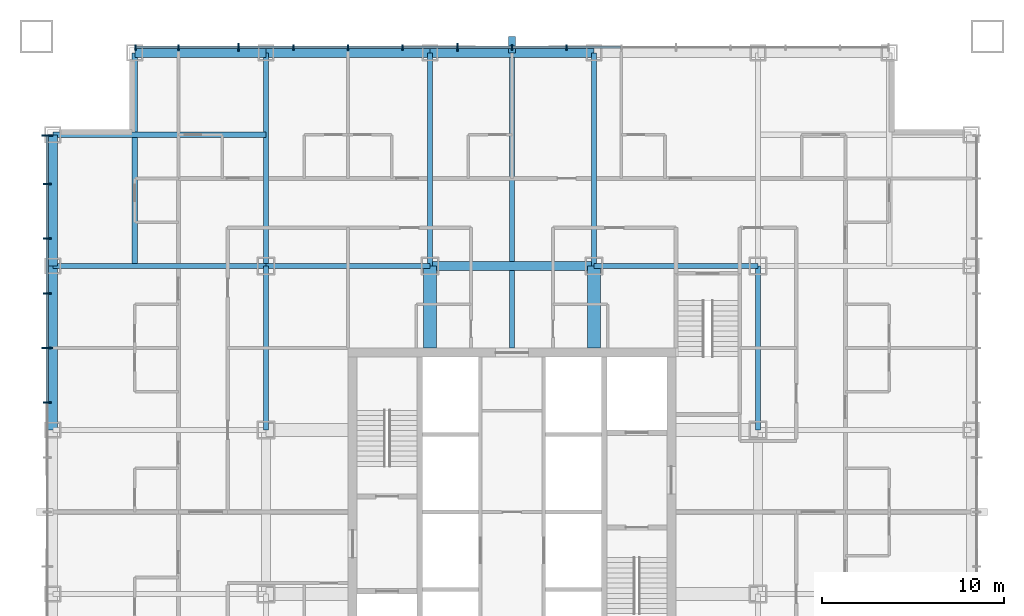
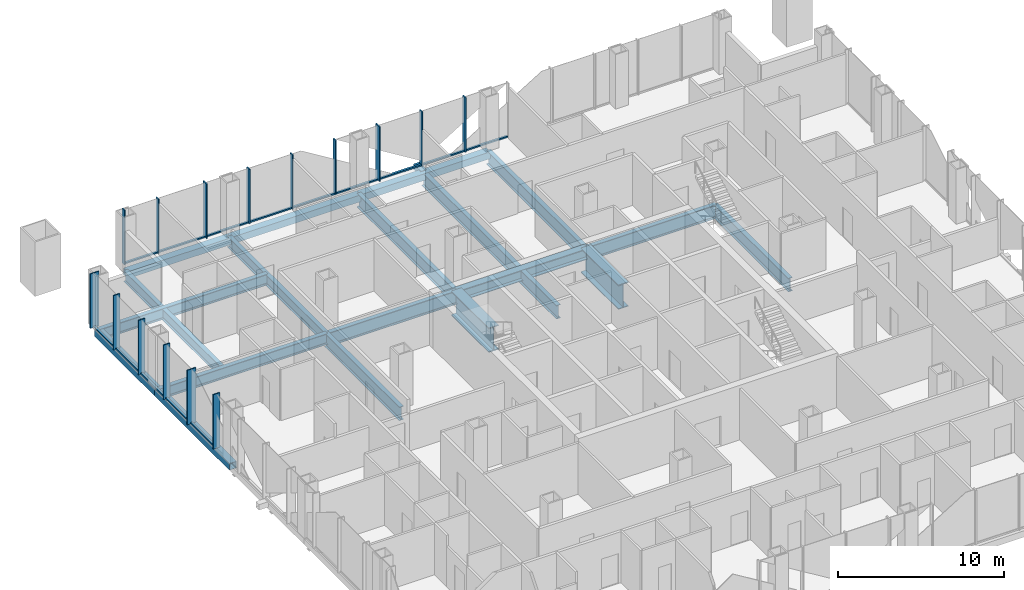
# One storey, part 4 of 13: 30 members, 19 beams, 2 elements without a shape of their own.
"""IFC4 building model written with IfcOpenShell, lengths in metres."""

from ifc_helpers import new_model, si_unit, direction, frame, origin, origin_2d, place, context, subcontext, project, spatial, rectangle, hollow_rectangle, i_section, extrude, material, layer, layer_set, material_profile, profile_set, type_object, element, aggregate, save


model = new_model("IFC4")

# Units and contexts
model_context = context("Model", 3, precision=1e-05, world=origin(), true_north=direction((0.0, 1.0)))
body_context = subcontext(model_context, "Body", "Model", "MODEL_VIEW")
ifc_project = project(units=[si_unit("LENGTHUNIT", "METRE"), si_unit("AREAUNIT", "SQUARE_METRE"), si_unit("VOLUMEUNIT", "CUBIC_METRE"), si_unit("PLANEANGLEUNIT", "RADIAN"), si_unit("MASSUNIT", "GRAM", prefix="KILO")], contexts=[model_context])

# Site, building, storey
site_placement = place(None, origin())
site = spatial("IfcSite", under=ifc_project, at=site_placement, CompositionType="ELEMENT")
building_placement = place(site_placement, origin())
building = spatial("IfcBuilding", under=site, at=building_placement, Name="Malebo Sky Hospital", CompositionType="ELEMENT")
storey_placement = place(building_placement, frame((0.0, 0.0, 47.0)))
storey = spatial("IfcBuildingStorey", under=building, at=storey_placement, Name="L10", CompositionType="ELEMENT", Elevation=47.0)

# Curtain wall, members
ifc_material_1 = material(Name="Anodised aluminium, natural silver", Category="aluminium")
ifc_layer_1 = layer(ifc_material_1, 0.25)
ifc_layer_set_1 = layer_set([ifc_layer_1], Name="WARD CURTAIN WALL NORTH AND SOUTH")
curtain_wall_type_1 = type_object("IfcCurtainWallType", Name="WARD CURTAIN WALL NORTH AND SOUTH", PredefinedType="NOTDEFINED", material=ifc_layer_set_1)
curtain_wall_1_placement = place(storey_placement, origin())
curtain_wall_1 = element("IfcCurtainWall", 1, at=curtain_wall_1_placement, inside=storey, type_object=curtain_wall_type_1, Name="NS curtain wall N", PredefinedType="NOTDEFINED")
ifc_material_profile_1 = material_profile(ifc_material_1, rectangle(XDim=0.14990234375, YDim=0.10009765625, at=origin_2d()), Name="ALUMINIUM TRANSOM 150x100")
ifc_profile_set_1 = profile_set([ifc_material_profile_1], Name="Anodised aluminium, natural silver")
member_type_1 = type_object("IfcMemberType", Name="ALUMINIUM TRANSOM 150x100", PredefinedType="USERDEFINED", material=ifc_profile_set_1)
member_1_placement = place(storey_placement, frame((39.375, 87.5, 0.050048828125), z_axis=(1.0, 0.0, 0.0), x_axis=(0.0, 1.0, 0.0)))
member_1 = element("IfcMember", 2, at=member_1_placement, type_object=member_type_1, Name="Transom 1", ObjectType="TRANSOM", PredefinedType="USERDEFINED", context=body_context, shape_type="SweptSolid", body=[
    extrude(rectangle(XDim=0.14990234375, YDim=0.10009765625, at=origin_2d()), origin(), (0.0, 0.0, 1.0), 2.28759765625),
])
member_2_placement = place(storey_placement, frame((41.737548828125, 87.5, 0.050048828125), z_axis=(1.0, 0.0, 0.0), x_axis=(0.0, 1.0, 0.0)))
member_2 = element("IfcMember", 3, at=member_2_placement, type_object=member_type_1, Name="Transom 2", ObjectType="TRANSOM", PredefinedType="USERDEFINED", context=body_context, shape_type="SweptSolid", body=[
    extrude(rectangle(XDim=0.14990234375, YDim=0.10009765625, at=origin_2d()), origin(), (0.0, 0.0, 1.0), 3.224853515625),
])
member_3_placement = place(storey_placement, frame((45.03759765625, 87.5, 0.050048828125), z_axis=(1.0, 0.0, 0.0), x_axis=(0.0, 1.0, 0.0)))
member_3 = element("IfcMember", 4, at=member_3_placement, type_object=member_type_1, Name="Transom 3", ObjectType="TRANSOM", PredefinedType="USERDEFINED", context=body_context, shape_type="SweptSolid", body=[
    extrude(rectangle(XDim=0.14990234375, YDim=0.10009765625, at=origin_2d()), origin(), (0.0, 0.0, 1.0), 2.9248046875),
])
member_4_placement = place(storey_placement, frame((48.03759765625, 87.5, 0.050048828125), z_axis=(1.0, 0.0, 0.0), x_axis=(0.0, 1.0, 0.0)))
member_4 = element("IfcMember", 5, at=member_4_placement, type_object=member_type_1, Name="Transom 4", ObjectType="TRANSOM", PredefinedType="USERDEFINED", context=body_context, shape_type="SweptSolid", body=[
    extrude(rectangle(XDim=0.14990234375, YDim=0.10009765625, at=origin_2d()), origin(), (0.0, 0.0, 1.0), 2.9248046875),
])
member_5_placement = place(storey_placement, frame((51.03759765625, 87.5, 0.050048828125), z_axis=(1.0, 0.0, 0.0), x_axis=(0.0, 1.0, 0.0)))
member_5 = element("IfcMember", 6, at=member_5_placement, type_object=member_type_1, Name="Transom 5", ObjectType="TRANSOM", PredefinedType="USERDEFINED", context=body_context, shape_type="SweptSolid", body=[
    extrude(rectangle(XDim=0.14990234375, YDim=0.10009765625, at=origin_2d()), origin(), (0.0, 0.0, 1.0), 2.9248046875),
])
member_6_placement = place(storey_placement, frame((54.03759765625, 87.5, 0.050048828125), z_axis=(1.0, 0.0, 0.0), x_axis=(0.0, 1.0, 0.0)))
member_6 = element("IfcMember", 7, at=member_6_placement, type_object=member_type_1, Name="Transom 6", ObjectType="TRANSOM", PredefinedType="USERDEFINED", context=body_context, shape_type="SweptSolid", body=[
    extrude(rectangle(XDim=0.14990234375, YDim=0.10009765625, at=origin_2d()), origin(), (0.0, 0.0, 1.0), 2.9248046875),
])
member_7_placement = place(storey_placement, frame((57.03759765625, 87.5, 0.050048828125), z_axis=(1.0, 0.0, 0.0), x_axis=(0.0, 1.0, 0.0)))
member_7 = element("IfcMember", 8, at=member_7_placement, type_object=member_type_1, Name="Transom 7", ObjectType="TRANSOM", PredefinedType="USERDEFINED", context=body_context, shape_type="SweptSolid", body=[
    extrude(rectangle(XDim=0.14990234375, YDim=0.10009765625, at=origin_2d()), origin(), (0.0, 0.0, 1.0), 2.9248046875),
])
member_8_placement = place(storey_placement, frame((60.03759765625, 87.5, 0.050048828125), z_axis=(1.0, 0.0, 0.0), x_axis=(0.0, 1.0, 0.0)))
member_8 = element("IfcMember", 9, at=member_8_placement, type_object=member_type_1, Name="Transom 8", ObjectType="TRANSOM", PredefinedType="USERDEFINED", context=body_context, shape_type="SweptSolid", body=[
    extrude(rectangle(XDim=0.14990234375, YDim=0.10009765625, at=origin_2d()), origin(), (0.0, 0.0, 1.0), 2.9248046875),
])
member_9_placement = place(storey_placement, frame((63.03759765625, 87.5, 0.050048828125), z_axis=(1.0, 0.0, 0.0), x_axis=(0.0, 1.0, 0.0)))
member_9 = element("IfcMember", 10, at=member_9_placement, type_object=member_type_1, Name="Transom 9", ObjectType="TRANSOM", PredefinedType="USERDEFINED", context=body_context, shape_type="SweptSolid", body=[
    extrude(rectangle(XDim=0.14990234375, YDim=0.10009765625, at=origin_2d()), origin(), (0.0, 0.0, 1.0), 2.9248046875),
])

ifc_layer_2 = layer(ifc_material_1, 0.25)
ifc_layer_set_2 = layer_set([ifc_layer_2], Name="WARD CURTAIN WALL EAST AND WEST")
curtain_wall_type_2 = type_object("IfcCurtainWallType", Name="WARD CURTAIN WALL EAST AND WEST", PredefinedType="NOTDEFINED", material=ifc_layer_set_2)
curtain_wall_2_placement = place(storey_placement, origin())
curtain_wall_2 = element("IfcCurtainWall", 11, at=curtain_wall_2_placement, inside=storey, type_object=curtain_wall_type_2, Name="EW curtain wall W", PredefinedType="NOTDEFINED")
member_10_placement = place(storey_placement, frame((34.5, 68.03759765625, 0.050048828125), z_axis=(0.0, 1.0, 0.0), x_axis=(-1.0, 0.0, 0.0)))
member_10 = element("IfcMember", 12, at=member_10_placement, type_object=member_type_1, Name="Transom 10", ObjectType="TRANSOM", PredefinedType="USERDEFINED", context=body_context, shape_type="SweptSolid", body=[
    extrude(rectangle(XDim=0.14990234375, YDim=0.10009765625, at=origin_2d()), origin(), (0.0, 0.0, 1.0), 2.9248046875),
])
member_11_placement = place(storey_placement, frame((34.5, 71.03759765625, 0.050048828125), z_axis=(0.0, 1.0, 0.0), x_axis=(-1.0, 0.0, 0.0)))
member_11 = element("IfcMember", 13, at=member_11_placement, type_object=member_type_1, Name="Transom 11", ObjectType="TRANSOM", PredefinedType="USERDEFINED", context=body_context, shape_type="SweptSolid", body=[
    extrude(rectangle(XDim=0.14990234375, YDim=0.10009765625, at=origin_2d()), origin(), (0.0, 0.0, 1.0), 2.9248046875),
])
member_12_placement = place(storey_placement, frame((34.5, 74.03759765625, 0.050048828125), z_axis=(0.0, 1.0, 0.0), x_axis=(-1.0, 0.0, 0.0)))
member_12 = element("IfcMember", 14, at=member_12_placement, type_object=member_type_1, Name="Transom 12", ObjectType="TRANSOM", PredefinedType="USERDEFINED", context=body_context, shape_type="SweptSolid", body=[
    extrude(rectangle(XDim=0.14990234375, YDim=0.10009765625, at=origin_2d()), origin(), (0.0, 0.0, 1.0), 2.9248046875),
])
member_13_placement = place(storey_placement, frame((34.5, 77.03759765625, 0.050048828125), z_axis=(0.0, 1.0, 0.0), x_axis=(-1.0, 0.0, 0.0)))
member_13 = element("IfcMember", 15, at=member_13_placement, type_object=member_type_1, Name="Transom 13", ObjectType="TRANSOM", PredefinedType="USERDEFINED", context=body_context, shape_type="SweptSolid", body=[
    extrude(rectangle(XDim=0.14990234375, YDim=0.10009765625, at=origin_2d()), origin(), (0.0, 0.0, 1.0), 2.9248046875),
])
member_14_placement = place(storey_placement, frame((34.5, 80.03759765625, 0.050048828125), z_axis=(0.0, 1.0, 0.0), x_axis=(-1.0, 0.0, 0.0)))
member_14 = element("IfcMember", 16, at=member_14_placement, type_object=member_type_1, Name="Transom 14", ObjectType="TRANSOM", PredefinedType="USERDEFINED", context=body_context, shape_type="SweptSolid", body=[
    extrude(rectangle(XDim=0.14990234375, YDim=0.10009765625, at=origin_2d()), origin(), (0.0, 0.0, 1.0), 2.58740234375),
])

# Member
ifc_material_2 = material(Name="Steel S355", Category="steel")
ifc_material_profile_2 = material_profile(ifc_material_2, hollow_rectangle(XDim=0.39990234375, YDim=0.39990234375, WallThickness=0.02001953125, at=origin_2d()), Name="SHS 400x20")
ifc_profile_set_2 = profile_set([ifc_material_profile_2], Name="Steel S355")
member_type_2 = type_object("IfcMemberType", Name="BRACE STRUT SHS 400x20", PredefinedType="STRUT", material=ifc_profile_set_2)
member_15_placement = place(storey_placement, frame((60.0, 88.10009765625, -0.39990234375), z_axis=(0.0, -1.0, 0.0), x_axis=(1.0, 0.0, 0.0)))
element("IfcMember", 17, at=member_15_placement, inside=storey, type_object=member_type_2, Name="Brace strut AN1 L10", PredefinedType="STRUT", context=body_context, shape_type="SweptSolid", body=[
    extrude(hollow_rectangle(XDim=0.39990234375, YDim=0.39990234375, WallThickness=0.02001953125, at=origin_2d()), origin(), (0.0, 0.0, 1.0), 0.900146484375),
])

ifc_material_profile_3 = material_profile(ifc_material_1, rectangle(XDim=0.074951171875, YDim=0.300048828125, at=origin_2d()), Name="CW1 ALUMINIUM FIN MULLION 75x300")
ifc_profile_set_3 = profile_set([ifc_material_profile_3], Name="Anodised aluminium, natural silver")
member_type_3 = type_object("IfcMemberType", Name="CW1 ALUMINIUM FIN MULLION 75x300", PredefinedType="MULLION", material=ifc_profile_set_3)
member_16_placement = place(storey_placement, frame((39.33740234375, 87.5, 0.0), z_axis=(0.0, 0.0, 1.0), x_axis=(1.0, 0.0, 0.0)))
member_16 = element("IfcMember", 18, at=member_16_placement, type_object=member_type_3, Name="Fin mullion 1", PredefinedType="MULLION", context=body_context, shape_type="SweptSolid", body=[
    extrude(rectangle(XDim=0.074951171875, YDim=0.300048828125, at=origin_2d()), origin(), (0.0, 0.0, 1.0), 4.0),
])

member_17_placement = place(storey_placement, frame((41.699951171875, 87.5, 0.0), z_axis=(0.0, 0.0, 1.0), x_axis=(1.0, 0.0, 0.0)))
member_17 = element("IfcMember", 19, at=member_17_placement, type_object=member_type_3, Name="Fin mullion 2", PredefinedType="MULLION", context=body_context, shape_type="SweptSolid", body=[
    extrude(rectangle(XDim=0.074951171875, YDim=0.300048828125, at=origin_2d()), origin(), (0.0, 0.0, 1.0), 4.0),
])

member_18_placement = place(storey_placement, frame((48.0, 87.5, 0.0), z_axis=(0.0, 0.0, 1.0), x_axis=(1.0, 0.0, 0.0)))
member_18 = element("IfcMember", 20, at=member_18_placement, type_object=member_type_3, Name="Fin mullion 4", PredefinedType="MULLION", context=body_context, shape_type="SweptSolid", body=[
    extrude(rectangle(XDim=0.074951171875, YDim=0.300048828125, at=origin_2d()), origin(), (0.0, 0.0, 1.0), 4.0),
])

member_19_placement = place(storey_placement, frame((51.0, 87.5, 0.0), z_axis=(0.0, 0.0, 1.0), x_axis=(1.0, 0.0, 0.0)))
member_19 = element("IfcMember", 21, at=member_19_placement, type_object=member_type_3, Name="Fin mullion 5", PredefinedType="MULLION", context=body_context, shape_type="SweptSolid", body=[
    extrude(rectangle(XDim=0.074951171875, YDim=0.300048828125, at=origin_2d()), origin(), (0.0, 0.0, 1.0), 4.0),
])

member_20_placement = place(storey_placement, frame((54.0, 87.5, 0.0), z_axis=(0.0, 0.0, 1.0), x_axis=(1.0, 0.0, 0.0)))
member_20 = element("IfcMember", 22, at=member_20_placement, type_object=member_type_3, Name="Fin mullion 6", PredefinedType="MULLION", context=body_context, shape_type="SweptSolid", body=[
    extrude(rectangle(XDim=0.074951171875, YDim=0.300048828125, at=origin_2d()), origin(), (0.0, 0.0, 1.0), 4.0),
])

member_21_placement = place(storey_placement, frame((60.0, 87.5, 0.0), z_axis=(0.0, 0.0, 1.0), x_axis=(1.0, 0.0, 0.0)))
member_21 = element("IfcMember", 23, at=member_21_placement, type_object=member_type_3, Name="Fin mullion 8", PredefinedType="MULLION", context=body_context, shape_type="SweptSolid", body=[
    extrude(rectangle(XDim=0.074951171875, YDim=0.300048828125, at=origin_2d()), origin(), (0.0, 0.0, 1.0), 4.0),
])

member_22_placement = place(storey_placement, frame((63.0, 87.5, 0.0), z_axis=(0.0, 0.0, 1.0), x_axis=(1.0, 0.0, 0.0)))
member_22 = element("IfcMember", 24, at=member_22_placement, type_object=member_type_3, Name="Fin mullion 9", PredefinedType="MULLION", context=body_context, shape_type="SweptSolid", body=[
    extrude(rectangle(XDim=0.074951171875, YDim=0.300048828125, at=origin_2d()), origin(), (0.0, 0.0, 1.0), 4.0),
])

ifc_material_profile_4 = material_profile(ifc_material_1, rectangle(XDim=0.074951171875, YDim=0.449951171875, at=origin_2d()), Name="CW1 ALUMINIUM FIN MULLION 75x450")
ifc_profile_set_4 = profile_set([ifc_material_profile_4], Name="Anodised aluminium, natural silver")
member_type_4 = type_object("IfcMemberType", Name="CW1 ALUMINIUM FIN MULLION 75x450", PredefinedType="MULLION", material=ifc_profile_set_4)
member_23_placement = place(storey_placement, frame((45.0, 87.5, 0.0), z_axis=(0.0, 0.0, 1.0), x_axis=(1.0, 0.0, 0.0)))
member_23 = element("IfcMember", 25, at=member_23_placement, type_object=member_type_4, Name="Fin mullion 3", PredefinedType="MULLION", context=body_context, shape_type="SweptSolid", body=[
    extrude(rectangle(XDim=0.074951171875, YDim=0.449951171875, at=origin_2d()), origin(), (0.0, 0.0, 1.0), 4.0),
])

member_24_placement = place(storey_placement, frame((57.0, 87.5, 0.0), z_axis=(0.0, 0.0, 1.0), x_axis=(1.0, 0.0, 0.0)))
member_24 = element("IfcMember", 26, at=member_24_placement, type_object=member_type_4, Name="Fin mullion 7", PredefinedType="MULLION", context=body_context, shape_type="SweptSolid", body=[
    extrude(rectangle(XDim=0.074951171875, YDim=0.449951171875, at=origin_2d()), origin(), (0.0, 0.0, 1.0), 4.0),
])

aggregate(curtain_wall_1, [member_16, member_17, member_23, member_18, member_19, member_20, member_24, member_21, member_22, member_1, member_2, member_3, member_4, member_5, member_6, member_7, member_8, member_9])

ifc_material_profile_5 = material_profile(ifc_material_1, rectangle(XDim=0.074951171875, YDim=0.449951171875, at=origin_2d()), Name="CW2 ALUMINIUM FIN MULLION 75x450")
ifc_profile_set_5 = profile_set([ifc_material_profile_5], Name="Anodised aluminium, natural silver")
member_type_5 = type_object("IfcMemberType", Name="CW2 ALUMINIUM FIN MULLION 75x450", PredefinedType="MULLION", material=ifc_profile_set_5)
member_25_placement = place(storey_placement, frame((34.5, 68.0, 0.0), z_axis=(0.0, 0.0, 1.0), x_axis=(0.0, 1.0, 0.0)))
member_25 = element("IfcMember", 27, at=member_25_placement, type_object=member_type_5, Name="Fin mullion 10", PredefinedType="MULLION", context=body_context, shape_type="SweptSolid", body=[
    extrude(rectangle(XDim=0.074951171875, YDim=0.449951171875, at=origin_2d()), origin(), (0.0, 0.0, 1.0), 4.0),
])

member_26_placement = place(storey_placement, frame((34.5, 74.0, 0.0), z_axis=(0.0, 0.0, 1.0), x_axis=(0.0, 1.0, 0.0)))
member_26 = element("IfcMember", 28, at=member_26_placement, type_object=member_type_5, Name="Fin mullion 12", PredefinedType="MULLION", context=body_context, shape_type="SweptSolid", body=[
    extrude(rectangle(XDim=0.074951171875, YDim=0.449951171875, at=origin_2d()), origin(), (0.0, 0.0, 1.0), 4.0),
])

member_27_placement = place(storey_placement, frame((34.5, 77.0, 0.0), z_axis=(0.0, 0.0, 1.0), x_axis=(0.0, 1.0, 0.0)))
member_27 = element("IfcMember", 29, at=member_27_placement, type_object=member_type_5, Name="Fin mullion 13", PredefinedType="MULLION", context=body_context, shape_type="SweptSolid", body=[
    extrude(rectangle(XDim=0.074951171875, YDim=0.449951171875, at=origin_2d()), origin(), (0.0, 0.0, 1.0), 4.0),
])

member_28_placement = place(storey_placement, frame((34.5, 80.0, 0.0), z_axis=(0.0, 0.0, 1.0), x_axis=(0.0, 1.0, 0.0)))
member_28 = element("IfcMember", 30, at=member_28_placement, type_object=member_type_5, Name="Fin mullion 14", PredefinedType="MULLION", context=body_context, shape_type="SweptSolid", body=[
    extrude(rectangle(XDim=0.074951171875, YDim=0.449951171875, at=origin_2d()), origin(), (0.0, 0.0, 1.0), 4.0),
])

ifc_material_profile_6 = material_profile(ifc_material_1, rectangle(XDim=0.074951171875, YDim=0.60009765625, at=origin_2d()), Name="CW2 ALUMINIUM FIN MULLION 75x600")
ifc_profile_set_6 = profile_set([ifc_material_profile_6], Name="Anodised aluminium, natural silver")
member_type_6 = type_object("IfcMemberType", Name="CW2 ALUMINIUM FIN MULLION 75x600", PredefinedType="MULLION", material=ifc_profile_set_6)
member_29_placement = place(storey_placement, frame((34.5, 71.0, 0.0), z_axis=(0.0, 0.0, 1.0), x_axis=(0.0, 1.0, 0.0)))
member_29 = element("IfcMember", 31, at=member_29_placement, type_object=member_type_6, Name="Fin mullion 11", PredefinedType="MULLION", context=body_context, shape_type="SweptSolid", body=[
    extrude(rectangle(XDim=0.074951171875, YDim=0.60009765625, at=origin_2d()), origin(), (0.0, 0.0, 1.0), 4.0),
])

member_30_placement = place(storey_placement, frame((34.5, 82.66259765625, 0.0), z_axis=(0.0, 0.0, 1.0), x_axis=(0.0, 1.0, 0.0)))
member_30 = element("IfcMember", 32, at=member_30_placement, type_object=member_type_6, Name="Fin mullion 15", PredefinedType="MULLION", context=body_context, shape_type="SweptSolid", body=[
    extrude(rectangle(XDim=0.074951171875, YDim=0.60009765625, at=origin_2d()), origin(), (0.0, 0.0, 1.0), 4.0),
])

aggregate(curtain_wall_2, [member_25, member_29, member_26, member_27, member_28, member_30, member_10, member_11, member_12, member_13, member_14])

# Beams
ifc_material_3 = material(Name="Steel S460", Category="steel")
ifc_material_profile_7 = material_profile(ifc_material_3, hollow_rectangle(XDim=0.5, YDim=0.5, WallThickness=0.030029296875, at=origin_2d()), Name="BOX 500x500x30")
ifc_profile_set_7 = profile_set([ifc_material_profile_7], Name="Steel S460")
beam_type_1 = type_object("IfcBeamType", Name="EDGE BEAM BOX 500x500x30", PredefinedType="BEAM", material=ifc_profile_set_7)
beam_1_placement = place(storey_placement, frame((34.800048828125, 66.5, -0.5), z_axis=(0.0, 1.0, 0.0), x_axis=(-1.0, 0.0, 0.0)))
element("IfcBeam", 33, at=beam_1_placement, inside=storey, type_object=beam_type_1, Name="Beam 003 L10", PredefinedType="BEAM", context=body_context, shape_type="SweptSolid", body=[
    extrude(hollow_rectangle(XDim=0.5, YDim=0.5, WallThickness=0.030029296875, at=origin_2d()), origin(), (0.0, 0.0, 1.0), 9.0),
])
for number, where, z_axis, x_axis, name in (
    (34, (34.800048828125, 75.5, -0.5), (0.0, 1.0, 0.0), (-1.0, 0.0, 0.0), "Beam 004 L10"),
    (35, (39.300048828125, 87.199951171875, -0.5), (1.0, 0.0, 0.0), (0.0, 1.0, 0.0), "Beam 063 L10"),
):
    element("IfcBeam", number, at=place(storey_placement, frame(where, z_axis=z_axis, x_axis=x_axis)), inside=storey, type_object=beam_type_1, Name=name, PredefinedType="BEAM", context=body_context, shape_type="SweptSolid", body=[
        extrude(hollow_rectangle(XDim=0.5, YDim=0.5, WallThickness=0.030029296875, at=origin_2d()), origin(), (0.0, 0.0, 1.0), 7.199951171875),
    ])
for number, where, z_axis, x_axis, name in (
    (36, (46.5, 87.199951171875, -0.5), (1.0, 0.0, 0.0), (0.0, 1.0, 0.0), "Beam 064 L10"),
    (37, (55.5, 87.199951171875, -0.5), (1.0, 0.0, 0.0), (0.0, 1.0, 0.0), "Beam 065 L10"),
):
    element("IfcBeam", number, at=place(storey_placement, frame(where, z_axis=z_axis, x_axis=x_axis)), inside=storey, type_object=beam_type_1, Name=name, PredefinedType="BEAM", context=body_context, shape_type="SweptSolid", body=[
        extrude(hollow_rectangle(XDim=0.5, YDim=0.5, WallThickness=0.030029296875, at=origin_2d()), origin(), (0.0, 0.0, 1.0), 9.0),
    ])
ifc_material_profile_8 = material_profile(ifc_material_2, i_section(OverallWidth=0.300048828125, OverallDepth=1.0, WebThickness=0.01904296875, FlangeThickness=0.035888671875, FilletRadius=0.030029296875, at=origin_2d()), Name="HEB 1000")
ifc_profile_set_8 = profile_set([ifc_material_profile_8], Name="Steel S355")
beam_type_2 = type_object("IfcBeamType", Name="FLOOR BEAM HEB 1000", PredefinedType="BEAM", material=ifc_profile_set_8)
beam_2_placement = place(storey_placement, frame((46.5, 66.5, -0.75), z_axis=(0.0, 1.0, 0.0), x_axis=(-1.0, 0.0, 0.0)))
element("IfcBeam", 38, at=beam_2_placement, inside=storey, type_object=beam_type_2, Name="Beam 010 L10", PredefinedType="BEAM", context=body_context, shape_type="SweptSolid", body=[
    extrude(i_section(OverallWidth=0.300048828125, OverallDepth=1.0, WebThickness=0.01904296875, FlangeThickness=0.035888671875, FilletRadius=0.030029296875, at=origin_2d()), origin(), (0.0, 0.0, 1.0), 9.0),
])
beam_3_placement = place(storey_placement, frame((55.5, 75.5, -0.75), z_axis=(0.0, 1.0, 0.0), x_axis=(-1.0, 0.0, 0.0)))
element("IfcBeam", 39, at=beam_3_placement, inside=storey, type_object=beam_type_2, Name="Beam 015 L10", PredefinedType="BEAM", context=body_context, shape_type="SweptSolid", body=[
    extrude(i_section(OverallWidth=0.300048828125, OverallDepth=1.0, WebThickness=0.01904296875, FlangeThickness=0.035888671875, FilletRadius=0.030029296875, at=origin_2d()), origin(), (0.0, 0.0, 1.0), 11.699951171875),
])
beam_4_placement = place(storey_placement, frame((60.0, 71.0, -0.75), z_axis=(0.0, 1.0, 0.0), x_axis=(-1.0, 0.0, 0.0)))
element("IfcBeam", 40, at=beam_4_placement, inside=storey, type_object=beam_type_2, Name="Beam 017 L10", PredefinedType="BEAM", context=body_context, shape_type="SweptSolid", body=[
    extrude(i_section(OverallWidth=0.300048828125, OverallDepth=1.0, WebThickness=0.01904296875, FlangeThickness=0.035888671875, FilletRadius=0.030029296875, at=origin_2d()), origin(), (0.0, 0.0, 1.0), 16.199951171875),
])
beam_5_placement = place(storey_placement, frame((64.5, 75.5, -0.75), z_axis=(0.0, 1.0, 0.0), x_axis=(-1.0, 0.0, 0.0)))
element("IfcBeam", 41, at=beam_5_placement, inside=storey, type_object=beam_type_2, Name="Beam 021 L10", PredefinedType="BEAM", context=body_context, shape_type="SweptSolid", body=[
    extrude(i_section(OverallWidth=0.300048828125, OverallDepth=1.0, WebThickness=0.01904296875, FlangeThickness=0.035888671875, FilletRadius=0.030029296875, at=origin_2d()), origin(), (0.0, 0.0, 1.0), 11.699951171875),
])
for number, where, z_axis, x_axis, name in (
    (42, (73.5, 66.5, -0.75), (0.0, 1.0, 0.0), (-1.0, 0.0, 0.0), "Beam 025 L10"),
    (43, (46.5, 75.5, -0.75), (1.0, 0.0, 0.0), (0.0, 1.0, 0.0), "Beam 057 L10"),
    (44, (64.5, 75.5, -0.75), (1.0, 0.0, 0.0), (0.0, 1.0, 0.0), "Beam 059 L10"),
):
    element("IfcBeam", number, at=place(storey_placement, frame(where, z_axis=z_axis, x_axis=x_axis)), inside=storey, type_object=beam_type_2, Name=name, PredefinedType="BEAM", context=body_context, shape_type="SweptSolid", body=[
        extrude(i_section(OverallWidth=0.300048828125, OverallDepth=1.0, WebThickness=0.01904296875, FlangeThickness=0.035888671875, FilletRadius=0.030029296875, at=origin_2d()), origin(), (0.0, 0.0, 1.0), 9.0),
    ])
ifc_material_profile_9 = material_profile(ifc_material_2, i_section(OverallWidth=0.300048828125, OverallDepth=0.800048828125, WebThickness=0.017578125, FlangeThickness=0.032958984375, FilletRadius=0.030029296875, at=origin_2d()), Name="HEB 800")
ifc_profile_set_9 = profile_set([ifc_material_profile_9], Name="Steel S355")
beam_type_3 = type_object("IfcBeamType", Name="FLOOR BEAM HEB 800", PredefinedType="BEAM", material=ifc_profile_set_9)
for number, where, z_axis, x_axis, name in (
    (45, (39.300048828125, 75.5, -0.64990234375), (0.0, 1.0, 0.0), (-1.0, 0.0, 0.0), "Beam 006 L10"),
    (46, (34.800048828125, 82.699951171875, -0.64990234375), (1.0, 0.0, 0.0), (0.0, 1.0, 0.0), "Beam 061 L10"),
):
    element("IfcBeam", number, at=place(storey_placement, frame(where, z_axis=z_axis, x_axis=x_axis)), inside=storey, type_object=beam_type_3, Name=name, PredefinedType="BEAM", context=body_context, shape_type="SweptSolid", body=[
        extrude(i_section(OverallWidth=0.300048828125, OverallDepth=0.800048828125, WebThickness=0.017578125, FlangeThickness=0.032958984375, FilletRadius=0.030029296875, at=origin_2d()), origin(), (0.0, 0.0, 1.0), 11.699951171875),
    ])
ifc_material_profile_10 = material_profile(ifc_material_2, i_section(OverallWidth=0.699951171875, OverallDepth=1.800048828125, WebThickness=0.034912109375, FlangeThickness=0.070068359375, at=origin_2d()), Name="PG 1800x700x35x70")
ifc_profile_set_10 = profile_set([ifc_material_profile_10], Name="Steel S355")
beam_type_4 = type_object("IfcBeamType", Name="FLOOR BEAM PG 1800x700x35x70", PredefinedType="BEAM", material=ifc_profile_set_10)
for number, where, z_axis, x_axis, name in (
    (47, (55.5, 71.0, -1.14990234375), (0.0, 1.0, 0.0), (-1.0, 0.0, 0.0), "Beam 014 L10"),
    (48, (64.5, 71.0, -1.14990234375), (0.0, 1.0, 0.0), (-1.0, 0.0, 0.0), "Beam 020 L10"),
):
    element("IfcBeam", number, at=place(storey_placement, frame(where, z_axis=z_axis, x_axis=x_axis)), inside=storey, type_object=beam_type_4, Name=name, PredefinedType="BEAM", context=body_context, shape_type="SweptSolid", body=[
        extrude(i_section(OverallWidth=0.699951171875, OverallDepth=1.800048828125, WebThickness=0.034912109375, FlangeThickness=0.070068359375, at=origin_2d()), origin(), (0.0, 0.0, 1.0), 4.5),
    ])
ifc_material_profile_11 = material_profile(ifc_material_2, i_section(OverallWidth=0.300048828125, OverallDepth=0.800048828125, WebThickness=0.017578125, FlangeThickness=0.032958984375, FilletRadius=0.030029296875, at=origin_2d()), Name="HEB 800")
ifc_profile_set_11 = profile_set([ifc_material_profile_11], Name="Steel S355")
beam_type_5 = type_object("IfcBeamType", Name="FLOOR GIRDER HEB 800", PredefinedType="BEAM", material=ifc_profile_set_11)
for number, where, z_axis, x_axis, name in (
    (49, (46.5, 75.5, -0.64990234375), (0.0, 1.0, 0.0), (-1.0, 0.0, 0.0), "Beam 011 L10"),
    (50, (34.800048828125, 75.5, -0.64990234375), (1.0, 0.0, 0.0), (0.0, 1.0, 0.0), "Beam 056 L10"),
):
    element("IfcBeam", number, at=place(storey_placement, frame(where, z_axis=z_axis, x_axis=x_axis)), inside=storey, type_object=beam_type_5, Name=name, PredefinedType="BEAM", context=body_context, shape_type="SweptSolid", body=[
        extrude(i_section(OverallWidth=0.300048828125, OverallDepth=0.800048828125, WebThickness=0.017578125, FlangeThickness=0.032958984375, FilletRadius=0.030029296875, at=origin_2d()), origin(), (0.0, 0.0, 1.0), 11.699951171875),
    ])
ifc_material_profile_12 = material_profile(ifc_material_2, i_section(OverallWidth=0.5, OverallDepth=0.800048828125, WebThickness=0.030029296875, FlangeThickness=0.050048828125, at=origin_2d()), Name="PG 800x500x30x50")
ifc_profile_set_12 = profile_set([ifc_material_profile_12], Name="Steel S355")
beam_type_6 = type_object("IfcBeamType", Name="RING GIRDER PG 800x500x30x50", PredefinedType="BEAM", material=ifc_profile_set_12)
beam_6_placement = place(storey_placement, frame((55.5, 75.5, -0.64990234375), z_axis=(1.0, 0.0, 0.0), x_axis=(0.0, 1.0, 0.0)))
element("IfcBeam", 51, at=beam_6_placement, inside=storey, type_object=beam_type_6, Name="Beam 058 L10", PredefinedType="BEAM", context=body_context, shape_type="SweptSolid", body=[
    extrude(i_section(OverallWidth=0.5, OverallDepth=0.800048828125, WebThickness=0.030029296875, FlangeThickness=0.050048828125, at=origin_2d()), origin(), (0.0, 0.0, 1.0), 9.0),
])

save(model, "model.ifc")
